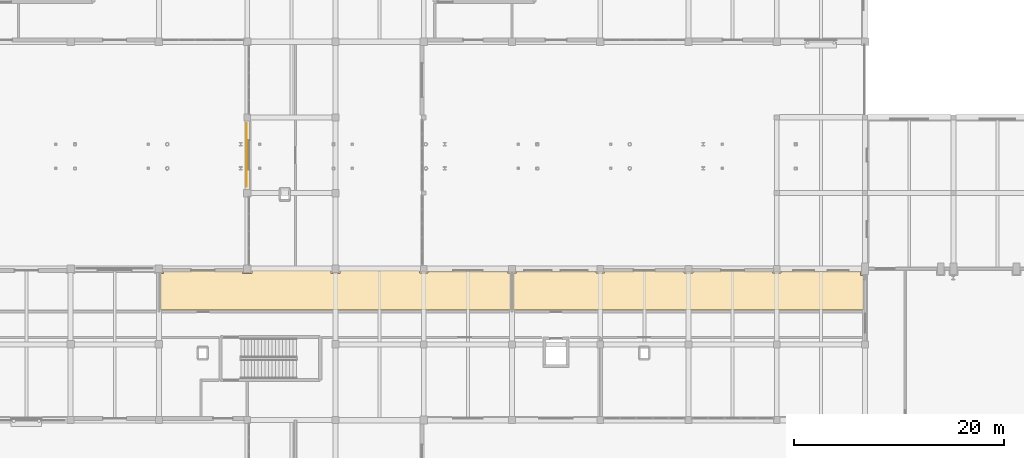
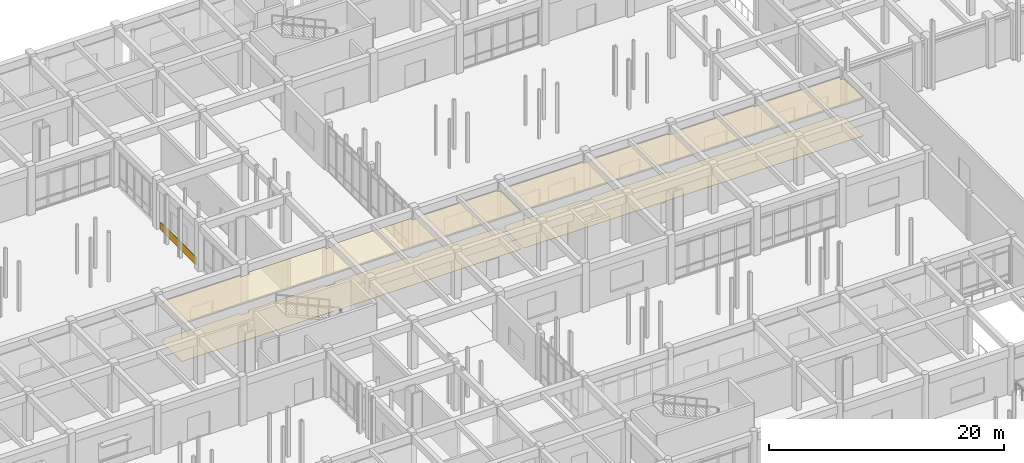
# One storey, part 114 of 121: 5 coverings.
"""IFC4 building model written with IfcOpenShell, lengths in metres."""

import ifcopenshell
import ifcopenshell.guid

model = None  # the IFC model being written
_history = None  # IfcOwnerHistory: only IFC2X3 demands one
_inside = {}  # id of a spatial element -> (the spatial element, [elements in it])
_under = {}  # id of a project, library or spatial element -> (it, [spatial elements below it])
_declared = {}  # id of a project -> (the project, [libraries it declares])
_typed = {}  # id of a type object -> (the type object, [elements of that type])
_made_of = {}  # id of a material, layer set ... -> (it, [elements and type objects made of it])


def new_model(schema):
    """Start an empty IFC model of exactly this schema.

    Asked for "IFC4X3", IfcOpenShell would pick the latest addendum, in which some entities
    have other attributes; the version numbers below select the first issue.
    IFC2X3 requires an IfcOwnerHistory on every rooted entity: one is made here for all.
    """
    global model, _history
    if schema == "IFC4X3":
        model = ifcopenshell.file(schema_version=(4, 3, 0, 0))
    else:
        model = ifcopenshell.file(schema=schema)
    _inside.clear()
    _under.clear()
    _declared.clear()
    _typed.clear()
    _made_of.clear()
    _history = None
    if model.schema == "IFC2X3":
        org = make("IfcOrganization", Name="unknown")
        user = make(
            "IfcPersonAndOrganization",
            ThePerson=make("IfcPerson", FamilyName="unknown"),
            TheOrganization=org,
        )
        app = make(
            "IfcApplication",
            ApplicationDeveloper=org,
            Version="unknown",
            ApplicationFullName="unknown",
            ApplicationIdentifier="unknown",
        )
        _history = make(
            "IfcOwnerHistory",
            OwningUser=user,
            OwningApplication=app,
            ChangeAction="ADDED",
            CreationDate=0,
        )
    return model


def make(cls, **values):
    """One entity of the class cls with the attributes given. An attribute that is None is left unset."""
    return model.create_entity(
        cls, **{name: value for name, value in values.items() if value is not None}
    )


def rooted(cls, **values):
    """An entity with a GlobalId (a new one), such as an element, a storey or a relation."""
    return make(cls, GlobalId=ifcopenshell.guid.new(), OwnerHistory=_history, **values)


def si_unit(unit_type, name, prefix=None):
    """IfcSIUnit, for example si_unit("LENGTHUNIT", "METRE", prefix="MILLI")."""
    return make("IfcSIUnit", UnitType=unit_type, Prefix=prefix, Name=name)


def assignment(units):
    """IfcUnitAssignment: the units of a project."""
    return None if units is None else make("IfcUnitAssignment", Units=units)


def point(xyz):
    """IfcCartesianPoint."""
    return None if xyz is None else make("IfcCartesianPoint", Coordinates=xyz)


def direction(xyz):
    """IfcDirection."""
    return None if xyz is None else make("IfcDirection", DirectionRatios=xyz)


def frame(location, z_axis=None, x_axis=None):
    """IfcAxis2Placement3D, a coordinate frame: its origin and axes. An axis left out is left unset."""
    return make(
        "IfcAxis2Placement3D",
        Location=point(location),
        Axis=direction(z_axis),
        RefDirection=direction(x_axis),
    )


def origin():
    """The frame at (0, 0, 0) with its axes left unset."""
    return frame((0.0, 0.0, 0.0))


def place(relative_to, where):
    """IfcLocalPlacement: puts the frame where relative to a parent placement (None: the world)."""
    return make(
        "IfcLocalPlacement", PlacementRelTo=relative_to, RelativePlacement=where
    )


def context(
    kind, dimensions, precision=None, world=None, true_north=None, identifier=None
):
    """IfcGeometricRepresentationContext, for example the 3D "Model" context."""
    return make(
        "IfcGeometricRepresentationContext",
        ContextIdentifier=identifier,
        ContextType=kind,
        CoordinateSpaceDimension=dimensions,
        Precision=precision,
        WorldCoordinateSystem=world,
        TrueNorth=true_north,
    )


def subcontext(parent, identifier, kind, view, scale=None):
    """IfcGeometricRepresentationSubContext, for example "Body" below "Model"."""
    return make(
        "IfcGeometricRepresentationSubContext",
        ContextIdentifier=identifier,
        ContextType=kind,
        ParentContext=parent,
        TargetScale=scale,
        TargetView=view,
    )


def project(units=None, contexts=None):
    """IfcProject with its units and contexts."""
    return rooted(
        "IfcProject",
        Name="project",
        RepresentationContexts=contexts,
        UnitsInContext=assignment(units),
    )


def spatial(cls, under=None, at=None, **own):
    """A site, building, storey or space (cls), placed at a placement, below another one or the project."""
    s = rooted(cls, ObjectPlacement=at, **own)
    if under is not None:
        _under.setdefault(under.id(), (under, []))[1].append(s)
    return s


def polyline(points):
    """IfcPolyline through the points."""
    return make("IfcPolyline", Points=[point(p) for p in points])


def outline(outer, holes=None, kind="AREA"):
    """IfcArbitraryClosedProfileDef: a profile drawn as a closed curve; with holes, ...WithVoids."""
    if holes is None:
        return make("IfcArbitraryClosedProfileDef", ProfileType=kind, OuterCurve=outer)
    return make(
        "IfcArbitraryProfileDefWithVoids",
        ProfileType=kind,
        OuterCurve=outer,
        InnerCurves=holes,
    )


def extrude(swept, where, along, depth):
    """IfcExtrudedAreaSolid: the profile swept, set in the frame where, extruded along a direction by depth."""
    return make(
        "IfcExtrudedAreaSolid",
        SweptArea=swept,
        Position=where,
        ExtrudedDirection=direction(along),
        Depth=depth,
    )


def shape(context_of_items, identifier, shape_type, items):
    """IfcShapeRepresentation: the items that make up one representation, for example the "Body"."""
    return make(
        "IfcShapeRepresentation",
        ContextOfItems=context_of_items,
        RepresentationIdentifier=identifier,
        RepresentationType=shape_type,
        Items=items,
    )


def material(Name=None, Category=None):
    """IfcMaterial."""
    return make("IfcMaterial", Name=Name, Category=Category)


def layer(
    of_material, thickness, ventilated=None, Name=None, Category=None, Priority=None
):
    """IfcMaterialLayer: one layer of a wall or slab, of a material (None: an air gap)."""
    return make(
        "IfcMaterialLayer",
        Material=of_material,
        LayerThickness=thickness,
        IsVentilated=ventilated,
        Name=Name,
        Category=Category,
        Priority=Priority,
    )


def layer_set(layers, Name=None):
    """IfcMaterialLayerSet."""
    return make("IfcMaterialLayerSet", MaterialLayers=layers, LayerSetName=Name)


def made_of(thing, what):
    """Note that an element or type object is made of a material, layer set ...; save() writes the relation."""
    if what is not None:
        _made_of.setdefault(what.id(), (what, []))[1].append(thing)
    return thing


def type_object(cls, material=None, **own):
    """A type object (cls), such as IfcWallType, which elements share."""
    return made_of(rooted(cls, **own), material)


def element(
    cls,
    number,
    at=None,
    inside=None,
    cuts=None,
    type_object=None,
    material=None,
    context=None,
    identifier="Body",
    shape_type=None,
    held_by="IfcProductDefinitionShape",
    body=None,
    shapes=None,
    **own,
):
    """One element of the class cls, such as IfcWall. Its Tag is "e" and its number.

    at: its placement. inside: the storey or other place that contains it. cuts: it is an
    opening in that element (IfcRelVoidsElement). A single representation is given by context,
    identifier, shape_type and body (its items); several are given by shapes. held_by: the class
    of the entity that holds the representations. save() writes the other relations.
    """
    e = rooted(cls, Tag="e%d" % number, ObjectPlacement=at, **own)
    if body is not None:
        shapes = [shape(context, identifier, shape_type, body)]
    if shapes is not None:
        e.Representation = make(held_by, Representations=shapes)
    if inside is not None:
        _inside.setdefault(inside.id(), (inside, []))[1].append(e)
    if cuts is not None:
        rooted(
            "IfcRelVoidsElement", RelatingBuildingElement=cuts, RelatedOpeningElement=e
        )
    if type_object is not None:
        _typed.setdefault(type_object.id(), (type_object, []))[1].append(e)
    return made_of(e, material)


def aggregate(whole, parts):
    """IfcRelAggregates: a whole, such as a stair, and the parts it consists of."""
    return rooted("IfcRelAggregates", RelatingObject=whole, RelatedObjects=parts)


def save(model, path):
    """Write the relations noted so far, then the file.

    IfcRelAggregates (storeys below a building ...), IfcRelContainedInSpatialStructure (elements
    in a storey), IfcRelDefinesByType, IfcRelAssociatesMaterial and IfcRelDeclares: one each for
    every whole, place, type object, material and project.
    """
    for whole, parts in _under.values():
        aggregate(whole, parts)
    for where, things in _inside.values():
        rooted(
            "IfcRelContainedInSpatialStructure",
            RelatedElements=things,
            RelatingStructure=where,
        )
    for kind, things in _typed.values():
        rooted("IfcRelDefinesByType", RelatedObjects=things, RelatingType=kind)
    for what, things in _made_of.values():
        rooted("IfcRelAssociatesMaterial", RelatedObjects=things, RelatingMaterial=what)
    for by, libraries in _declared.values():
        rooted("IfcRelDeclares", RelatingContext=by, RelatedDefinitions=libraries)
    model.write(path)


model = new_model("IFC4")

# Units and contexts
model_context = context("Model", 3, precision=1e-05, world=origin(), true_north=direction((0.0, 1.0)))
body_context = subcontext(model_context, "Body", "Model", "MODEL_VIEW")
ifc_project = project(units=[si_unit("LENGTHUNIT", "METRE"), si_unit("AREAUNIT", "SQUARE_METRE"), si_unit("VOLUMEUNIT", "CUBIC_METRE"), si_unit("PLANEANGLEUNIT", "RADIAN"), si_unit("MASSUNIT", "GRAM", prefix="KILO")], contexts=[model_context])

# Site, building, storey
site_placement = place(None, origin())
site = spatial("IfcSite", under=ifc_project, at=site_placement, CompositionType="ELEMENT")
building_placement = place(site_placement, origin())
building = spatial("IfcBuilding", under=site, at=building_placement, Name="Malvenik Polytechnic", CompositionType="ELEMENT")
storey_placement = place(building_placement, origin())
storey = spatial("IfcBuildingStorey", under=building, at=storey_placement, Name="L00", CompositionType="ELEMENT", Elevation=0.0)

# Coverings
ifc_material_1 = material(Name="Perforated mineral-fibre acoustic suspended ceiling 600x600", Category="gypsum")
ifc_layer_1 = layer(ifc_material_1, 0.02490234375)
ifc_layer_set_1 = layer_set([ifc_layer_1], Name="Perforated mineral-fibre acoustic suspended ceiling 600x600")
covering_type_1 = type_object("IfcCoveringType", Name="ARC-COV-CEIL-AC", PredefinedType="CEILING", material=ifc_layer_set_1)
covering_1_placement = place(storey_placement, frame((0.0, 0.0, 3.93505859375)))
element("IfcCovering", 1, at=covering_1_placement, inside=storey, type_object=covering_type_1, Name="Acoustic Ceiling L00 Modelmaking Assembly Studio", PredefinedType="CEILING", context=body_context, shape_type="SweptSolid", body=[
    extrude(outline(polyline([(75.159912109375, 93.159912109375), (76.0400390625, 93.159912109375), (76.0400390625, 93.43994140625), (83.56005859375, 93.43994140625), (83.56005859375, 93.159912109375), (84.43994140625, 93.159912109375), (84.43994140625, 93.43994140625), (91.985107421875, 93.43994140625), (91.985107421875, 93.18505859375), (92.81494140625, 93.18505859375), (92.81494140625, 93.3798828125), (100.385009765625, 93.3798828125), (100.385009765625, 93.18505859375), (100.639892578125, 93.18505859375), (100.639892578125, 89.659912109375), (67.360107421875, 89.659912109375), (67.360107421875, 93.159912109375), (67.639892578125, 93.159912109375), (67.639892578125, 93.3798828125), (75.159912109375, 93.3798828125), (75.159912109375, 93.159912109375)])), origin(), (0.0, 0.0, 1.0), 0.02490234375),
])
covering_2_placement = place(storey_placement, frame((0.0, 0.0, 3.93505859375)))
element("IfcCovering", 2, at=covering_2_placement, inside=storey, type_object=covering_type_1, Name="Acoustic Ceiling L00 Industrial Casting and Composites Studio", PredefinedType="CEILING", context=body_context, shape_type="SweptSolid", body=[
    extrude(outline(polyline([(108.784912109375, 93.18505859375), (109.614990234375, 93.18505859375), (109.614990234375, 93.3798828125), (117.18505859375, 93.3798828125), (117.18505859375, 93.18505859375), (118.014892578125, 93.18505859375), (118.014892578125, 93.3798828125), (125.5849609375, 93.3798828125), (125.5849609375, 93.18505859375), (126.4150390625, 93.18505859375), (126.4150390625, 93.3798828125), (133.985107421875, 93.3798828125), (133.985107421875, 92.9599609375), (134.239990234375, 92.9599609375), (134.239990234375, 89.659912109375), (100.9599609375, 89.659912109375), (100.9599609375, 93.18505859375), (101.215087890625, 93.18505859375), (101.215087890625, 93.3798828125), (108.784912109375, 93.3798828125), (108.784912109375, 93.18505859375)])), origin(), (0.0, 0.0, 1.0), 0.02490234375),
])
ifc_material_2 = material(Name="Glazed ochre architectural terracotta rainscreen tile 35mm", Category="masonry")
ifc_layer_2 = layer(ifc_material_2, 0.034912109375)
ifc_layer_set_2 = layer_set([ifc_layer_2], Name="Glazed ochre architectural terracotta rainscreen tile 35mm")
covering_type_2 = type_object("IfcCoveringType", Name="ARC-COV-CLAD-TERR", PredefinedType="CLADDING", material=ifc_layer_set_2)
covering_3_placement = place(storey_placement, frame((0.0, 0.0, 0.050048828125)))
element("IfcCovering", 3, at=covering_3_placement, inside=storey, type_object=covering_type_2, Name="Stone Rainscreen Band CL-02 L00 #38", PredefinedType="CLADDING", context=body_context, shape_type="SweptSolid", body=[
    extrude(outline(polyline([(75.583984375, 101.39794921875), (75.583984375, 107.427001953125), (75.549072265625, 107.427001953125), (75.549072265625, 101.39794921875), (75.583984375, 101.39794921875)])), origin(), (0.0, 0.0, 1.0), 0.800048828125),
])
ifc_material_3 = material(Name="Polished Danube aggregate terrazzo flooring 20mm", Category="stone")
ifc_layer_3 = layer(ifc_material_3, 0.02001953125)
ifc_layer_set_3 = layer_set([ifc_layer_3], Name="Polished Danube aggregate terrazzo flooring 20mm")
covering_type_3 = type_object("IfcCoveringType", Name="ARC-COV-FLR-TER", PredefinedType="FLOORING", material=ifc_layer_set_3)
covering_4_placement = place(storey_placement, origin())
element("IfcCovering", 4, at=covering_4_placement, inside=storey, type_object=covering_type_3, Name="Floor Finish FLR-01 L00 Modelmaking Assembly Studio", PredefinedType="FLOORING", context=body_context, shape_type="SweptSolid", body=[
    extrude(outline(polyline([(75.159912109375, 93.159912109375), (76.0400390625, 93.159912109375), (76.0400390625, 93.43994140625), (83.56005859375, 93.43994140625), (83.56005859375, 93.159912109375), (84.43994140625, 93.159912109375), (84.43994140625, 93.43994140625), (91.985107421875, 93.43994140625), (91.985107421875, 93.18505859375), (92.81494140625, 93.18505859375), (92.81494140625, 93.3798828125), (100.385009765625, 93.3798828125), (100.385009765625, 93.18505859375), (100.639892578125, 93.18505859375), (100.639892578125, 89.659912109375), (67.360107421875, 89.659912109375), (67.360107421875, 93.159912109375), (67.639892578125, 93.159912109375), (67.639892578125, 93.3798828125), (75.159912109375, 93.3798828125), (75.159912109375, 93.159912109375)])), origin(), (0.0, 0.0, 1.0), 0.02001953125),
])
covering_5_placement = place(storey_placement, origin())
element("IfcCovering", 5, at=covering_5_placement, inside=storey, type_object=covering_type_3, Name="Floor Finish FLR-01 L00 Industrial Casting and Composites Studio", PredefinedType="FLOORING", context=body_context, shape_type="SweptSolid", body=[
    extrude(outline(polyline([(108.784912109375, 93.18505859375), (109.614990234375, 93.18505859375), (109.614990234375, 93.3798828125), (117.18505859375, 93.3798828125), (117.18505859375, 93.18505859375), (118.014892578125, 93.18505859375), (118.014892578125, 93.3798828125), (125.5849609375, 93.3798828125), (125.5849609375, 93.18505859375), (126.4150390625, 93.18505859375), (126.4150390625, 93.3798828125), (133.985107421875, 93.3798828125), (133.985107421875, 92.9599609375), (134.239990234375, 92.9599609375), (134.239990234375, 89.659912109375), (100.9599609375, 89.659912109375), (100.9599609375, 93.18505859375), (101.215087890625, 93.18505859375), (101.215087890625, 93.3798828125), (108.784912109375, 93.3798828125), (108.784912109375, 93.18505859375)])), origin(), (0.0, 0.0, 1.0), 0.02001953125),
])

save(model, "model.ifc")
